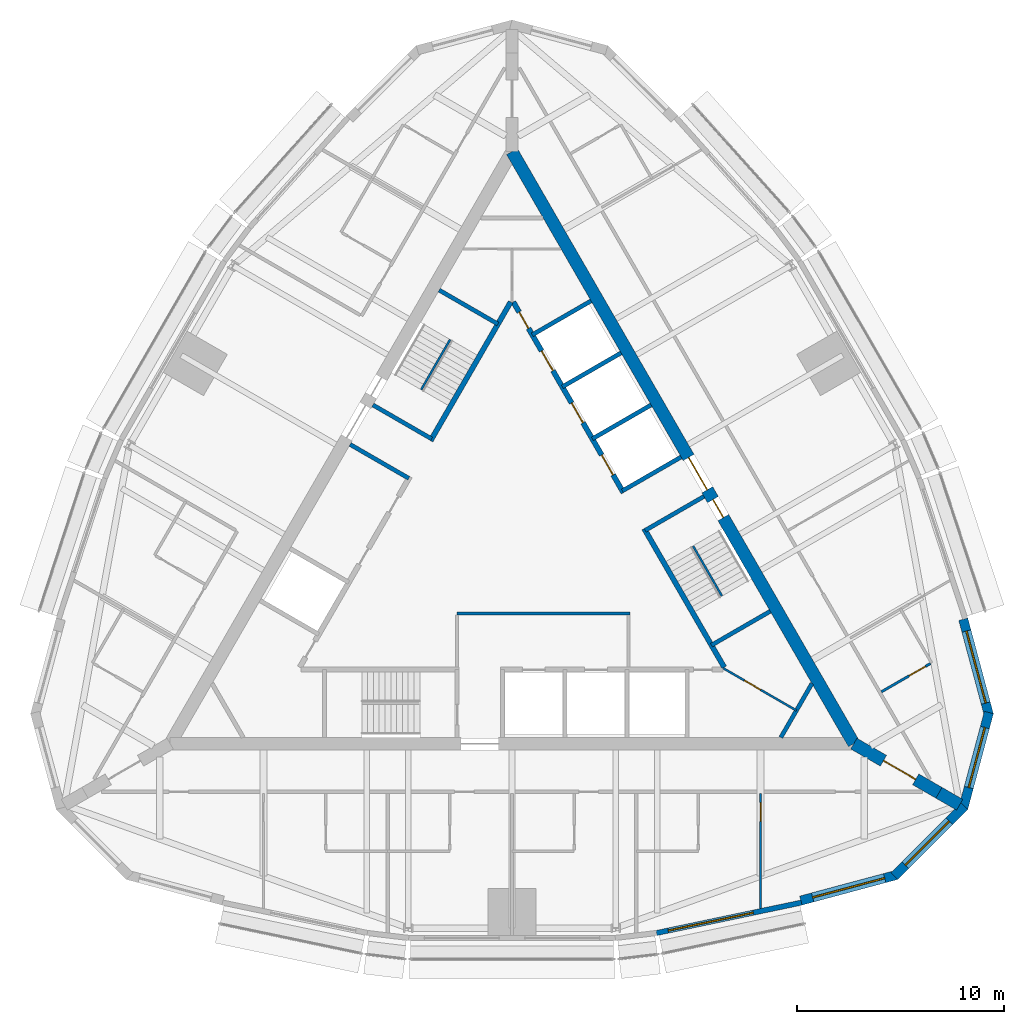
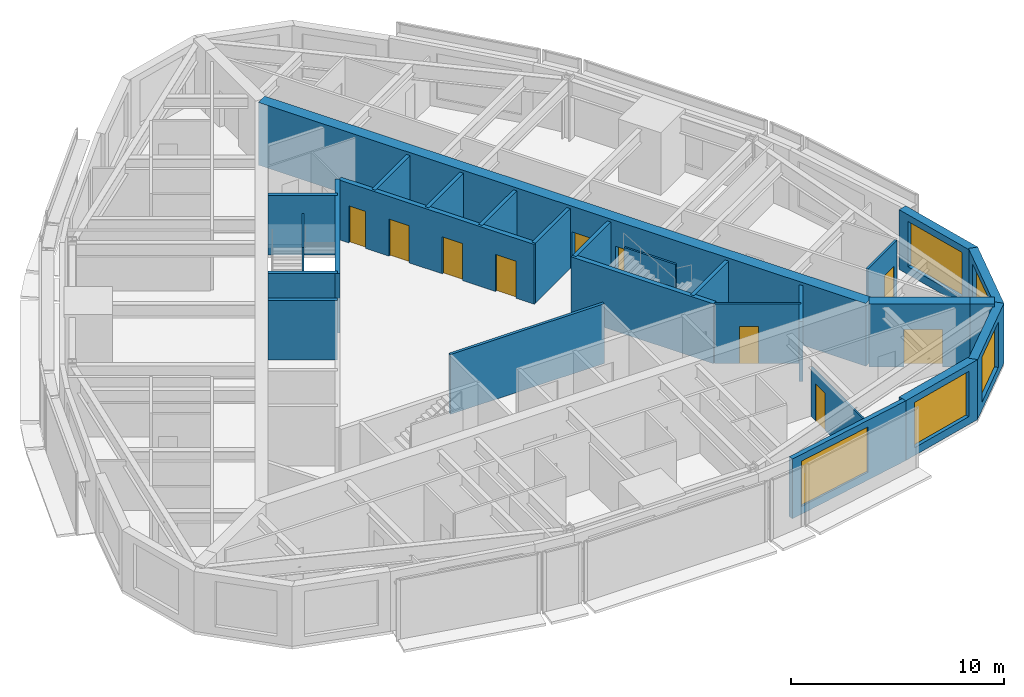
# One storey, part 9 of 12: 27 walls, 10 doors, 5 windows, 15 openings.
"""IFC4 building model written with IfcOpenShell, lengths in metres."""

from ifc_helpers import new_model, si_unit, direction, frame, frame_2d, origin, place, context, subcontext, project, spatial, polyline, rectangle, outline, extrude, material, layer, layer_set, type_object, element, fill, save


model = new_model("IFC4")

# Units and contexts
model_context = context("Model", 3, precision=1e-05, world=origin(), true_north=direction((0.0, 1.0)))
body_context = subcontext(model_context, "Body", "Model", "MODEL_VIEW")
ifc_project = project(units=[si_unit("LENGTHUNIT", "METRE"), si_unit("AREAUNIT", "SQUARE_METRE"), si_unit("VOLUMEUNIT", "CUBIC_METRE"), si_unit("PLANEANGLEUNIT", "RADIAN"), si_unit("MASSUNIT", "GRAM", prefix="KILO")], contexts=[model_context])

# Site, building, storey
site_placement = place(None, origin())
site = spatial("IfcSite", under=ifc_project, at=site_placement, CompositionType="ELEMENT")
building_placement = place(site_placement, origin())
building = spatial("IfcBuilding", under=site, at=building_placement, Name="Trikona Tower", CompositionType="ELEMENT")
storey_placement = place(building_placement, frame((0.0, 0.0, 260.89990234375)))
storey = spatial("IfcBuildingStorey", under=building, at=storey_placement, Name="L69", CompositionType="ELEMENT", Elevation=260.89990234375)

# Wall, opening, door
ifc_material_1 = material(Name="Metal stud and cement board", Category="gypsum")
ifc_layer_1 = layer(ifc_material_1, 0.1201171875)
ifc_layer_set_1 = layer_set([ifc_layer_1], Name="Bathroom wall 120")
wall_type_1 = type_object("IfcWallType", Name="Bathroom wall 120", PredefinedType="PLUMBINGWALL", material=ifc_layer_set_1)
wall_1_placement = place(storey_placement, frame((17.82861328125, -7.027099609375, 0.0), z_axis=(0.0, 0.0, 1.0), x_axis=(0.866035715982, 0.499982138324, 0.0)))
wall_1 = element("IfcWall", 1, at=wall_1_placement, inside=storey, type_object=wall_type_1, Name="Bathroom wall 6905.1", PredefinedType="PLUMBINGWALL", context=body_context, shape_type="SweptSolid", body=[
    extrude(rectangle(XDim=2.73974609375, YDim=0.1201171875, at=frame_2d((1.369873046875, 0.0))), origin(), (0.0, 0.0, 1.0), 3.43505859375),
])
opening_1_placement = place(wall_1_placement, frame((1.550048828125, 0.0, 0.0)))
opening_1 = element("IfcOpeningElement", 2, at=opening_1_placement, cuts=wall_1, Name="Opening D2", PredefinedType="OPENING", context=body_context, shape_type="SweptSolid", body=[
    extrude(rectangle(XDim=0.89990234375, YDim=2.1298828125, at=frame_2d((0.449951171875, 1.06494140625))), frame((0.0, 0.070068359375, 0.0), z_axis=(0.0, -1.0, 0.0), x_axis=(1.0, 0.0, 0.0)), (0.0, 0.0, 1.0), 0.14013671875),
])
ifc_material_2 = material(Name="Steel door frame with solid-core timber leaf", Category="steel")
door_type_1 = type_object("IfcDoorType", Name="Bathroom door 900x2130", OperationType="SLIDING_TO_LEFT", PredefinedType="DOOR", material=ifc_material_2)
door_1_placement = place(opening_1_placement, origin())
door_1 = element("IfcDoor", 3, at=door_1_placement, inside=storey, type_object=door_type_1, Name="Bathroom door 6905.1", OperationType="SLIDING_TO_LEFT", OverallHeight=2.1298828125, OverallWidth=0.89990234375, PredefinedType="DOOR", context=body_context, shape_type="SweptSolid", body=[
    extrude(rectangle(XDim=0.89990234375, YDim=2.1298828125, at=frame_2d((0.449951171875, 1.06494140625))), frame((0.0, 0.02490234375, 0.0), z_axis=(0.0, -1.0, 0.0), x_axis=(1.0, 0.0, 0.0)), (0.0, 0.0, 1.0), 0.050048828125),
])
fill(opening_1, door_1)

# Wall, opening, window
ifc_material_3 = material(Name="Brick-faced precast concrete", Category="masonry")
ifc_layer_2 = layer(ifc_material_3, 0.449951171875)
ifc_layer_set_2 = layer_set([ifc_layer_2], Name="Brick-faced corner wall 450")
wall_type_2 = type_object("IfcWallType", Name="Brick-faced corner wall 450", PredefinedType="SOLIDWALL", material=ifc_layer_set_2)
wall_2_placement = place(storey_placement, frame((13.94189453125, -17.103271484375, 0.0), z_axis=(0.0, 0.0, 1.0), x_axis=(0.965913862671, 0.258863689806, 0.0)))
wall_2 = element("IfcWall", 4, at=wall_2_placement, inside=storey, type_object=wall_type_2, Name="External wall L69-05", PredefinedType="SOLIDWALL", context=body_context, shape_type="SweptSolid", body=[
    extrude(rectangle(XDim=4.78173828125, YDim=0.449951171875, at=frame_2d((2.390869140625, 0.0))), origin(), (0.0, 0.0, 1.0), 3.43505859375),
])
opening_2_placement = place(wall_2_placement, frame((0.5908203125, 0.0, 0.449951171875)))
opening_2 = element("IfcOpeningElement", 5, at=opening_2_placement, cuts=wall_2, Name="Opening W3626", PredefinedType="OPENING", context=body_context, shape_type="SweptSolid", body=[
    extrude(rectangle(XDim=3.60009765625, YDim=2.60009765625, at=frame_2d((1.800048828125, 1.300048828125))), frame((0.0, 0.23486328125, 0.0), z_axis=(0.0, -1.0, 0.0), x_axis=(1.0, 0.0, 0.0)), (0.0, 0.0, 1.0), 0.469970703125),
])
ifc_material_4 = material(Name="Aluminium-framed double glazing", Category="aluminium")
window_type_1 = type_object("IfcWindowType", Name="Window 3600x2600", PartitioningType="SINGLE_PANEL", PredefinedType="WINDOW", material=ifc_material_4)
window_1_placement = place(opening_2_placement, origin())
window_1 = element("IfcWindow", 6, at=window_1_placement, inside=storey, type_object=window_type_1, Name="Window 6904", OverallHeight=2.60009765625, OverallWidth=3.60009765625, PartitioningType="SINGLE_PANEL", PredefinedType="WINDOW", context=body_context, shape_type="SweptSolid", body=[
    extrude(rectangle(XDim=3.60009765625, YDim=2.60009765625, at=frame_2d((1.800048828125, 1.300048828125))), frame((0.0, 0.030029296875, 0.0), z_axis=(0.0, -1.0, 0.0), x_axis=(1.0, 0.0, 0.0)), (0.0, 0.0, 1.0), 0.06005859375),
])
fill(opening_2, window_1)

wall_3_placement = place(storey_placement, frame((18.459716796875, -15.923828125, 0.0), z_axis=(0.0, 0.0, 1.0), x_axis=(0.707081252484, 0.707132308968, 0.0)))
wall_3 = element("IfcWall", 7, at=wall_3_placement, inside=storey, type_object=wall_type_2, Name="External wall L69-06", PredefinedType="SOLIDWALL", context=body_context, shape_type="SweptSolid", body=[
    extrude(outline(polyline([(4.78173828125, 0.22509765625), (4.722900390625, 0.22509765625), (4.37548828125, 0.1318359375), (4.3505859375, 0.22509765625), (0.0, 0.22509765625), (0.0, -0.22509765625), (4.78173828125, -0.22509765625), (4.78173828125, 0.22509765625)])), origin(), (0.0, 0.0, 1.0), 3.43505859375),
])
opening_3_placement = place(wall_3_placement, frame((0.750244140625, 0.0, 0.449951171875)))
opening_3 = element("IfcOpeningElement", 8, at=opening_3_placement, cuts=wall_3, Name="Opening W3026", PredefinedType="OPENING", context=body_context, shape_type="SweptSolid", body=[
    extrude(rectangle(XDim=3.0, YDim=2.60009765625, at=frame_2d((1.5, 1.300048828125))), frame((0.0, 0.23486328125, 0.0), z_axis=(0.0, -1.0, 0.0), x_axis=(1.0, 0.0, 0.0)), (0.0, 0.0, 1.0), 0.469970703125),
])
ifc_material_5 = material(Name="Aluminium-framed double glazing", Category="aluminium")
window_type_2 = type_object("IfcWindowType", Name="Window 3000x2600", PartitioningType="SINGLE_PANEL", PredefinedType="WINDOW", material=ifc_material_5)
window_2_placement = place(opening_3_placement, origin())
window_2 = element("IfcWindow", 9, at=window_2_placement, inside=storey, type_object=window_type_2, Name="Window 6904", OverallHeight=2.60009765625, OverallWidth=3.0, PartitioningType="SINGLE_PANEL", PredefinedType="WINDOW", context=body_context, shape_type="SweptSolid", body=[
    extrude(rectangle(XDim=3.0, YDim=2.60009765625, at=frame_2d((1.5, 1.300048828125))), frame((0.0, 0.030029296875, 0.0), z_axis=(0.0, -1.0, 0.0), x_axis=(1.0, 0.0, 0.0)), (0.0, 0.0, 1.0), 0.06005859375),
])
fill(opening_3, window_2)

wall_4_placement = place(storey_placement, frame((21.78271484375, -12.6435546875, 0.0), z_axis=(0.0, 0.0, 1.0), x_axis=(0.25880328844, 0.965930048136, 0.0)))
wall_4 = element("IfcWall", 10, at=wall_4_placement, inside=storey, type_object=wall_type_2, Name="External wall L69-07", PredefinedType="SOLIDWALL", context=body_context, shape_type="SweptSolid", body=[
    extrude(outline(polyline([(4.78173828125, 0.22509765625), (0.43115234375, 0.22509765625), (0.40625, 0.132080078125), (0.0595703125, 0.22509765625), (0.0, 0.22509765625), (0.0, -0.22509765625), (4.78173828125, -0.22509765625), (4.78173828125, 0.22509765625)])), origin(), (0.0, 0.0, 1.0), 3.43505859375),
])
opening_4_placement = place(wall_4_placement, frame((1.031494140625, 0.0, 0.449951171875)))
opening_4 = element("IfcOpeningElement", 11, at=opening_4_placement, cuts=wall_4, Name="Opening W3026", PredefinedType="OPENING", context=body_context, shape_type="SweptSolid", body=[
    extrude(rectangle(XDim=3.0, YDim=2.60009765625, at=frame_2d((1.5, 1.300048828125))), frame((0.0, 0.23486328125, 0.0), z_axis=(0.0, -1.0, 0.0), x_axis=(1.0, 0.0, 0.0)), (0.0, 0.0, 1.0), 0.469970703125),
])
window_3_placement = place(opening_4_placement, origin())
window_3 = element("IfcWindow", 12, at=window_3_placement, inside=storey, type_object=window_type_2, Name="Window 6905.1", OverallHeight=2.60009765625, OverallWidth=3.0, PartitioningType="SINGLE_PANEL", PredefinedType="WINDOW", context=body_context, shape_type="SweptSolid", body=[
    extrude(rectangle(XDim=3.0, YDim=2.60009765625, at=frame_2d((1.5, 1.300048828125))), frame((0.0, 0.030029296875, 0.0), z_axis=(0.0, -1.0, 0.0), x_axis=(1.0, 0.0, 0.0)), (0.0, 0.0, 1.0), 0.06005859375),
])
fill(opening_4, window_3)

wall_5_placement = place(storey_placement, frame((23.020263671875, -8.14111328125, 0.0), z_axis=(0.0, 0.0, 1.0), x_axis=(-0.25880328844, 0.965930048136, 0.0)))
wall_5 = element("IfcWall", 13, at=wall_5_placement, inside=storey, type_object=wall_type_2, Name="External wall L69-08", PredefinedType="SOLIDWALL", context=body_context, shape_type="SweptSolid", body=[
    extrude(rectangle(XDim=4.78173828125, YDim=0.449951171875, at=frame_2d((2.390869140625, 0.0))), origin(), (0.0, 0.0, 1.0), 3.43505859375),
])
opening_5_placement = place(wall_5_placement, frame((0.5908203125, 0.0, 0.449951171875)))
opening_5 = element("IfcOpeningElement", 14, at=opening_5_placement, cuts=wall_5, Name="Opening W3626", PredefinedType="OPENING", context=body_context, shape_type="SweptSolid", body=[
    extrude(rectangle(XDim=3.60009765625, YDim=2.60009765625, at=frame_2d((1.800048828125, 1.300048828125))), frame((0.0, 0.23486328125, 0.0), z_axis=(0.0, -1.0, 0.0), x_axis=(1.0, 0.0, 0.0)), (0.0, 0.0, 1.0), 0.469970703125),
])
window_4_placement = place(opening_5_placement, origin())
window_4 = element("IfcWindow", 15, at=window_4_placement, inside=storey, type_object=window_type_1, Name="Window 6905.1", OverallHeight=2.60009765625, OverallWidth=3.60009765625, PartitioningType="SINGLE_PANEL", PredefinedType="WINDOW", context=body_context, shape_type="SweptSolid", body=[
    extrude(rectangle(XDim=3.60009765625, YDim=2.60009765625, at=frame_2d((1.800048828125, 1.300048828125))), frame((0.0, 0.030029296875, 0.0), z_axis=(0.0, -1.0, 0.0), x_axis=(1.0, 0.0, 0.0)), (0.0, 0.0, 1.0), 0.06005859375),
])
fill(opening_5, window_4)

# Wall, opening, door
ifc_material_6 = material(Name="Concrete f'c 10000 psi", Category="concrete")
ifc_layer_3 = layer(ifc_material_6, 0.60009765625)
ifc_layer_set_3 = layer_set([ifc_layer_3], Name="Buttress wall 600")
wall_type_3 = type_object("IfcWallType", Name="Buttress wall 600", PredefinedType="SHEAR", material=ifc_layer_set_3)
wall_6_placement = place(storey_placement, frame((16.5, -9.5263671875, 0.0), z_axis=(0.0, 0.0, 1.0), x_axis=(0.866031398331, -0.499989616998, 0.0)))
wall_6 = element("IfcWall", 16, at=wall_6_placement, inside=storey, type_object=wall_type_3, Name="Buttress wall 1", PredefinedType="SHEAR", context=body_context, shape_type="SweptSolid", body=[
    extrude(rectangle(XDim=4.74609375, YDim=0.60009765625, at=frame_2d((2.373046875, 0.0))), origin(), (0.0, 0.0, 1.0), 3.60009765625),
])
opening_6_placement = place(wall_6_placement, frame((1.64990234375, 0.0, 0.0)))
opening_6 = element("IfcOpeningElement", 17, at=opening_6_placement, cuts=wall_6, Name="Opening D10", PredefinedType="OPENING", context=body_context, shape_type="SweptSolid", body=[
    extrude(rectangle(XDim=1.800048828125, YDim=2.1298828125, at=frame_2d((0.89990234375, 1.06494140625))), frame((0.0, 0.31005859375, 0.0), z_axis=(0.0, -1.0, 0.0), x_axis=(1.0, 0.0, 0.0)), (0.0, 0.0, 1.0), 0.6201171875),
])
ifc_material_7 = material(Name="Hollow metal door and frame", Category="steel")
door_type_2 = type_object("IfcDoorType", Name="Cross-corridor door pair 1800x2130", OperationType="DOUBLE_DOOR_DOUBLE_SWING", PredefinedType="DOOR", material=ifc_material_7)
door_2_placement = place(opening_6_placement, origin())
door_2 = element("IfcDoor", 18, at=door_2_placement, inside=storey, type_object=door_type_2, Name="Cross-corridor door 1", OperationType="DOUBLE_DOOR_DOUBLE_SWING", OverallHeight=2.1298828125, OverallWidth=1.800048828125, PredefinedType="DOOR", context=body_context, shape_type="SweptSolid", body=[
    extrude(rectangle(XDim=1.800048828125, YDim=2.1298828125, at=frame_2d((0.89990234375, 1.06494140625))), frame((0.0, 0.02490234375, 0.0), z_axis=(0.0, -1.0, 0.0), x_axis=(1.0, 0.0, 0.0)), (0.0, 0.0, 1.0), 0.050048828125),
])
fill(opening_6, door_2)

# Wall
wall_7_placement = place(storey_placement, frame((20.6103515625, -11.8994140625, 0.0), z_axis=(0.0, 0.0, 1.0), x_axis=(0.866009537788, -0.500027479704, 0.0)))
element("IfcWall", 19, at=wall_7_placement, inside=storey, type_object=wall_type_3, Name="Buttress wall 1 part 2", PredefinedType="SHEAR", context=body_context, shape_type="SweptSolid", body=[
    extrude(rectangle(XDim=1.15478515625, YDim=0.60009765625, at=frame_2d((0.577392578125, 0.0))), origin(), (0.0, 0.0, 1.0), 3.60009765625),
])

# Wall, openings, doors
ifc_material_8 = material(Name="Concrete f'c 10000 psi", Category="concrete")
ifc_layer_4 = layer(ifc_material_8, 0.60009765625)
ifc_layer_set_4 = layer_set([ifc_layer_4], Name="Core wall 600")
wall_type_4 = type_object("IfcWallType", Name="Core wall 600", PredefinedType="SHEAR", material=ifc_layer_set_4)
wall_8_placement = place(storey_placement, frame((16.5, -9.5263671875, 0.0), z_axis=(0.0, 0.0, 1.0), x_axis=(-0.499999749417, 0.866025548458, 0.0)))
wall_8 = element("IfcWall", 20, at=wall_8_placement, inside=storey, type_object=wall_type_4, Name="Core wall B", PredefinedType="SHEAR", context=body_context, shape_type="SweptSolid", body=[
    extrude(rectangle(XDim=33.0, YDim=0.60009765625, at=frame_2d((16.5, 0.0))), origin(), (0.0, 0.0, 1.0), 3.60009765625),
])
opening_7_placement = place(wall_8_placement, frame((14.14990234375, 0.0, 0.0)))
opening_7 = element("IfcOpeningElement", 21, at=opening_7_placement, cuts=wall_8, Name="Opening D6", PredefinedType="OPENING", context=body_context, shape_type="SweptSolid", body=[
    extrude(rectangle(XDim=1.800048828125, YDim=2.1298828125, at=frame_2d((0.89990234375, 1.06494140625))), frame((0.0, 0.31005859375, 0.0), z_axis=(0.0, -1.0, 0.0), x_axis=(1.0, 0.0, 0.0)), (0.0, 0.0, 1.0), 0.6201171875),
])
opening_8_placement = place(wall_8_placement, frame((12.60009765625, 0.0, 0.0)))
opening_8 = element("IfcOpeningElement", 22, at=opening_8_placement, cuts=wall_8, Name="Opening D5", PredefinedType="OPENING", context=body_context, shape_type="SweptSolid", body=[
    extrude(rectangle(XDim=1.0, YDim=2.1298828125, at=frame_2d((0.5, 1.06494140625))), frame((0.0, 0.31005859375, 0.0), z_axis=(0.0, -1.0, 0.0), x_axis=(1.0, 0.0, 0.0)), (0.0, 0.0, 1.0), 0.6201171875),
])
ifc_material_9 = material(Name="Hollow metal door and frame", Category="steel")
door_type_3 = type_object("IfcDoorType", Name="Lobby door pair 1800x2130", OperationType="DOUBLE_DOOR_SINGLE_SWING", PredefinedType="DOOR", material=ifc_material_9)
door_3_placement = place(opening_7_placement, origin())
door_3 = element("IfcDoor", 23, at=door_3_placement, inside=storey, type_object=door_type_3, Name="Lift lobby door B", OperationType="DOUBLE_DOOR_SINGLE_SWING", OverallHeight=2.1298828125, OverallWidth=1.800048828125, PredefinedType="DOOR", context=body_context, shape_type="SweptSolid", body=[
    extrude(rectangle(XDim=1.800048828125, YDim=2.1298828125, at=frame_2d((0.89990234375, 1.06494140625))), frame((0.0, 0.02490234375, 0.0), z_axis=(0.0, -1.0, 0.0), x_axis=(1.0, 0.0, 0.0)), (0.0, 0.0, 1.0), 0.050048828125),
])
fill(opening_7, door_3)
ifc_material_10 = material(Name="Hollow metal door and frame", Category="steel")
door_type_4 = type_object("IfcDoorType", Name="Stair door 1000x2130", OperationType="SINGLE_SWING_LEFT", PredefinedType="DOOR", material=ifc_material_10)
door_4_placement = place(opening_8_placement, origin())
door_4 = element("IfcDoor", 24, at=door_4_placement, inside=storey, type_object=door_type_4, Name="Stair B door", OperationType="SINGLE_SWING_RIGHT", OverallHeight=2.1298828125, OverallWidth=1.0, PredefinedType="DOOR", context=body_context, shape_type="SweptSolid", body=[
    extrude(rectangle(XDim=1.0, YDim=2.1298828125, at=frame_2d((0.5, 1.06494140625))), frame((0.0, 0.02490234375, 0.0), z_axis=(0.0, -1.0, 0.0), x_axis=(1.0, 0.0, 0.0)), (0.0, 0.0, 1.0), 0.050048828125),
])
fill(opening_8, door_4)

# Wall
ifc_material_11 = material(Name="Concrete f'c 8000 psi", Category="concrete")
ifc_layer_5 = layer(ifc_material_11, 0.25)
ifc_layer_set_5 = layer_set([ifc_layer_5], Name="Hub wall 250")
wall_type_5 = type_object("IfcWallType", Name="Hub wall 250", PredefinedType="SOLIDWALL", material=ifc_layer_set_5)
wall_9_placement = place(storey_placement, frame((10.245361328125, -5.843017578125, 0.0), z_axis=(0.0, 0.0, 1.0), x_axis=(-0.499993009313, 0.866029439822, 0.0)))
element("IfcWall", 25, at=wall_9_placement, inside=storey, type_object=wall_type_5, Name="Lift lobby wall B1", PredefinedType="SOLIDWALL", context=body_context, shape_type="SweptSolid", body=[
    extrude(rectangle(XDim=7.73291015625, YDim=0.25, at=frame_2d((3.866455078125, 0.0))), origin(), (0.0, 0.0, 1.0), 3.43505859375),
])

# Wall, openings, doors
wall_10_placement = place(storey_placement, frame((5.37890625, 2.5859375, 0.0), z_axis=(0.0, 0.0, 1.0), x_axis=(-0.500001375892, 0.866024609411, 0.0)))
wall_10 = element("IfcWall", 26, at=wall_10_placement, inside=storey, type_object=wall_type_5, Name="Lift lobby wall B2", PredefinedType="SOLIDWALL", context=body_context, shape_type="SweptSolid", body=[
    extrude(rectangle(XDim=10.6328125, YDim=0.25, at=frame_2d((5.31640625, 0.0))), origin(), (0.0, 0.0, 1.0), 3.43505859375),
])
opening_9_placement = place(wall_10_placement, frame((9.1640625, 0.0, 0.0)))
opening_9 = element("IfcOpeningElement", 27, at=opening_9_placement, cuts=wall_10, Name="Opening D14", PredefinedType="OPENING", context=body_context, shape_type="SweptSolid", body=[
    extrude(rectangle(XDim=0.89990234375, YDim=2.1298828125, at=frame_2d((0.449951171875, 1.06494140625))), frame((0.0, 0.135009765625, 0.0), z_axis=(0.0, -1.0, 0.0), x_axis=(1.0, 0.0, 0.0)), (0.0, 0.0, 1.0), 0.27001953125),
])
opening_10_placement = place(wall_10_placement, frame((1.0, 0.0, 0.0)))
opening_10 = element("IfcOpeningElement", 28, at=opening_10_placement, cuts=wall_10, Name="Opening LD", PredefinedType="OPENING", context=body_context, shape_type="SweptSolid", body=[
    extrude(rectangle(XDim=1.10009765625, YDim=2.1298828125, at=frame_2d((0.550048828125, 1.06494140625))), frame((0.0, 0.135009765625, 0.0), z_axis=(0.0, -1.0, 0.0), x_axis=(1.0, 0.0, 0.0)), (0.0, 0.0, 1.0), 0.27001953125),
])
opening_11_placement = place(wall_10_placement, frame((3.89990234375, 0.0, 0.0)))
opening_11 = element("IfcOpeningElement", 29, at=opening_11_placement, cuts=wall_10, Name="Opening LD", PredefinedType="OPENING", context=body_context, shape_type="SweptSolid", body=[
    extrude(rectangle(XDim=1.10009765625, YDim=2.1298828125, at=frame_2d((0.550048828125, 1.06494140625))), frame((0.0, 0.135009765625, 0.0), z_axis=(0.0, -1.0, 0.0), x_axis=(1.0, 0.0, 0.0)), (0.0, 0.0, 1.0), 0.27001953125),
])
opening_12_placement = place(wall_10_placement, frame((6.800048828125, 0.0, 0.0)))
opening_12 = element("IfcOpeningElement", 30, at=opening_12_placement, cuts=wall_10, Name="Opening LD", PredefinedType="OPENING", context=body_context, shape_type="SweptSolid", body=[
    extrude(rectangle(XDim=1.10009765625, YDim=2.1298828125, at=frame_2d((0.550048828125, 1.06494140625))), frame((0.0, 0.135009765625, 0.0), z_axis=(0.0, -1.0, 0.0), x_axis=(1.0, 0.0, 0.0)), (0.0, 0.0, 1.0), 0.27001953125),
])
ifc_material_12 = material(Name="Stainless steel lift landing door", Category="steel")
door_type_5 = type_object("IfcDoorType", Name="Lift landing door 1100x2130", OperationType="DOUBLE_DOOR_SLIDING", PredefinedType="USERDEFINED", material=ifc_material_12)
door_5_placement = place(opening_10_placement, origin())
door_5 = element("IfcDoor", 31, at=door_5_placement, inside=storey, type_object=door_type_5, Name="Lift landing door L3-1", ObjectType="LIFT LANDING DOOR", OperationType="DOUBLE_DOOR_SLIDING", OverallHeight=2.1298828125, OverallWidth=1.10009765625, PredefinedType="USERDEFINED", context=body_context, shape_type="SweptSolid", body=[
    extrude(rectangle(XDim=1.10009765625, YDim=2.1298828125, at=frame_2d((0.550048828125, 1.06494140625))), frame((0.0, 0.02490234375, 0.0), z_axis=(0.0, -1.0, 0.0), x_axis=(1.0, 0.0, 0.0)), (0.0, 0.0, 1.0), 0.050048828125),
])
fill(opening_10, door_5)
door_6_placement = place(opening_11_placement, origin())
door_6 = element("IfcDoor", 32, at=door_6_placement, inside=storey, type_object=door_type_5, Name="Lift landing door L3-2", ObjectType="LIFT LANDING DOOR", OperationType="DOUBLE_DOOR_SLIDING", OverallHeight=2.1298828125, OverallWidth=1.10009765625, PredefinedType="USERDEFINED", context=body_context, shape_type="SweptSolid", body=[
    extrude(rectangle(XDim=1.10009765625, YDim=2.1298828125, at=frame_2d((0.550048828125, 1.06494140625))), frame((0.0, 0.02490234375, 0.0), z_axis=(0.0, -1.0, 0.0), x_axis=(1.0, 0.0, 0.0)), (0.0, 0.0, 1.0), 0.050048828125),
])
fill(opening_11, door_6)
door_7_placement = place(opening_12_placement, origin())
door_7 = element("IfcDoor", 33, at=door_7_placement, inside=storey, type_object=door_type_5, Name="Lift landing door L3-3", ObjectType="LIFT LANDING DOOR", OperationType="DOUBLE_DOOR_SLIDING", OverallHeight=2.1298828125, OverallWidth=1.10009765625, PredefinedType="USERDEFINED", context=body_context, shape_type="SweptSolid", body=[
    extrude(rectangle(XDim=1.10009765625, YDim=2.1298828125, at=frame_2d((0.550048828125, 1.06494140625))), frame((0.0, 0.02490234375, 0.0), z_axis=(0.0, -1.0, 0.0), x_axis=(1.0, 0.0, 0.0)), (0.0, 0.0, 1.0), 0.050048828125),
])
fill(opening_12, door_7)
ifc_material_13 = material(Name="Hollow metal door and frame", Category="steel")
door_type_6 = type_object("IfcDoorType", Name="Service room door 900x2130", OperationType="SINGLE_SWING_LEFT", PredefinedType="DOOR", material=ifc_material_13)
door_8_placement = place(opening_9_placement, origin())
door_8 = element("IfcDoor", 34, at=door_8_placement, inside=storey, type_object=door_type_6, Name="Door Ice and vending ICE", OperationType="SINGLE_SWING_RIGHT", OverallHeight=2.1298828125, OverallWidth=0.89990234375, PredefinedType="DOOR", context=body_context, shape_type="SweptSolid", body=[
    extrude(rectangle(XDim=0.89990234375, YDim=2.1298828125, at=frame_2d((0.449951171875, 1.06494140625))), frame((0.0, 0.02490234375, 0.0), z_axis=(0.0, -1.0, 0.0), x_axis=(1.0, 0.0, 0.0)), (0.0, 0.0, 1.0), 0.050048828125),
])
fill(opening_9, door_8)

# Wall
wall_11_placement = place(storey_placement, frame((-0.0625, 11.794189453125, 0.0), z_axis=(0.0, 0.0, 1.0), x_axis=(-0.500006680225, -0.86602154692, 0.0)))
element("IfcWall", 35, at=wall_11_placement, inside=storey, type_object=wall_type_5, Name="Lift lobby wall C1", PredefinedType="SOLIDWALL", context=body_context, shape_type="SweptSolid", body=[
    extrude(rectangle(XDim=7.73291015625, YDim=0.25, at=frame_2d((3.866455078125, 0.0))), origin(), (0.0, 0.0, 1.0), 3.43505859375),
])

# Wall, opening, window
ifc_material_14 = material(Name="Insulated precast concrete spandrel panel", Category="concrete")
ifc_layer_6 = layer(ifc_material_14, 0.25)
ifc_layer_set_6 = layer_set([ifc_layer_6], Name="Inner skin wall 250")
wall_type_6 = type_object("IfcWallType", Name="Inner skin wall 250", PredefinedType="STANDARD", material=ifc_layer_set_6)
wall_12_placement = place(storey_placement, frame((6.974365234375, -18.668212890625, 0.0), z_axis=(0.0, 0.0, 1.0), x_axis=(0.978654320409, 0.205513311355, 0.0)))
wall_12 = element("IfcWall", 36, at=wall_12_placement, inside=storey, type_object=wall_type_6, Name="External wall L69-04", PredefinedType="STANDARD", context=body_context, shape_type="SweptSolid", body=[
    extrude(rectangle(XDim=7.152587890625, YDim=0.25, at=frame_2d((3.576171875, 0.0))), origin(), (0.0, 0.0, 1.0), 3.43505859375),
])
opening_13_placement = place(wall_12_placement, frame((0.576904296875, 0.0, 0.449951171875)))
opening_13 = element("IfcOpeningElement", 37, at=opening_13_placement, cuts=wall_12, Name="Opening W4226", PredefinedType="OPENING", context=body_context, shape_type="SweptSolid", body=[
    extrude(rectangle(XDim=4.199951171875, YDim=2.60009765625, at=frame_2d((2.10009765625, 1.300048828125))), frame((0.0, 0.135009765625, 0.0), z_axis=(0.0, -1.0, 0.0), x_axis=(1.0, 0.0, 0.0)), (0.0, 0.0, 1.0), 0.27001953125),
])
ifc_material_15 = material(Name="Aluminium-framed double glazing", Category="aluminium")
window_type_3 = type_object("IfcWindowType", Name="Window 4200x2600", PartitioningType="SINGLE_PANEL", PredefinedType="WINDOW", material=ifc_material_15)
window_5_placement = place(opening_13_placement, origin())
window_5 = element("IfcWindow", 38, at=window_5_placement, inside=storey, type_object=window_type_3, Name="Window 6904.1", OverallHeight=2.60009765625, OverallWidth=4.199951171875, PartitioningType="SINGLE_PANEL", PredefinedType="WINDOW", context=body_context, shape_type="SweptSolid", body=[
    extrude(rectangle(XDim=4.199951171875, YDim=2.60009765625, at=frame_2d((2.10009765625, 1.300048828125))), frame((0.0, 0.030029296875, 0.0), z_axis=(0.0, -1.0, 0.0), x_axis=(1.0, 0.0, 0.0)), (0.0, 0.0, 1.0), 0.06005859375),
])
fill(opening_13, window_5)

# Walls
ifc_material_16 = material(Name="Metal stud and gypsum board, 2-hour shaft wall", Category="gypsum")
ifc_layer_7 = layer(ifc_material_16, 0.14990234375)
ifc_layer_set_7 = layer_set([ifc_layer_7], Name="Lobby wall 150")
wall_type_7 = type_object("IfcWallType", Name="Lobby wall 150", PredefinedType="PARTITIONING", material=ifc_layer_set_7)
wall_13_placement = place(storey_placement, frame((-2.64990234375, -3.251220703125, 0.0), z_axis=(0.0, 0.0, 1.0), x_axis=(1.0, 0.0, 0.0)))
element("IfcWall", 39, at=wall_13_placement, inside=storey, type_object=wall_type_7, Name="Fire service lift lobby wall 1", PredefinedType="PARTITIONING", context=body_context, shape_type="SweptSolid", body=[
    extrude(rectangle(XDim=8.349853515625, YDim=0.14990234375, at=frame_2d((4.1748046875, 0.0))), origin(), (0.0, 0.0, 1.0), 3.43505859375),
])
ifc_material_17 = material(Name="Concrete f'c 8000 psi", Category="concrete")
ifc_layer_8 = layer(ifc_material_17, 0.199951171875)
ifc_layer_set_8 = layer_set([ifc_layer_8], Name="Shaft wall 200")
wall_type_8 = type_object("IfcWallType", Name="Shaft wall 200", PredefinedType="SOLIDWALL", material=ifc_layer_set_8)
for number, where, z_axis, x_axis, name in (
    (40, (5.3291015625, 2.672607421875, 0.0), (0.0, 0.0, 1.0), (0.866027924134, 0.499995634601, 0.0), "Shaft wall B3"),
    (41, (3.87890625, 5.18408203125, 0.0), (0.0, 0.0, 1.0), (0.866027924134, 0.499995634601, 0.0), "Shaft wall B4"),
    (42, (2.428955078125, 7.695556640625, 0.0), (0.0, 0.0, 1.0), (0.866027924134, 0.499995634601, 0.0), "Shaft wall B5"),
    (43, (0.97900390625, 10.20703125, 0.0), (0.0, 0.0, 1.0), (0.866027924134, 0.499995634601, 0.0), "Shaft wall B6"),
    (44, (-4.97900390625, 3.27880859375, 0.0), (0.0, 0.0, 1.0), (-0.866027924134, 0.499995634601, 0.0), "Shaft wall C3"),
):
    element("IfcWall", number, at=place(storey_placement, frame(where, z_axis=z_axis, x_axis=x_axis)), inside=storey, type_object=wall_type_8, Name=name, PredefinedType="SOLIDWALL", context=body_context, shape_type="SweptSolid", body=[
        extrude(rectangle(XDim=3.27490234375, YDim=0.199951171875, at=frame_2d((1.637451171875, 0.0))), origin(), (0.0, 0.0, 1.0), 3.43505859375),
    ])
wall_14_placement = place(storey_placement, frame((14.479248046875, -6.626220703125, 0.0), z_axis=(0.0, 0.0, 1.0), x_axis=(-0.499952404951, -0.866052881055, 0.0)))
element("IfcWall", 45, at=wall_14_placement, inside=storey, type_object=wall_type_8, Name="Riser wall L69-RS1", PredefinedType="SOLIDWALL", context=body_context, shape_type="SweptSolid", body=[
    extrude(rectangle(XDim=3.002197265625, YDim=0.199951171875, at=frame_2d((1.5009765625, 0.0))), origin(), (0.0, 0.0, 1.0), 3.43505859375),
])
ifc_material_18 = material(Name="Concrete f'c 8000 psi", Category="concrete")
ifc_layer_9 = layer(ifc_material_18, 0.199951171875)
ifc_layer_set_9 = layer_set([ifc_layer_9], Name="Shaft wall 200 load-bearing")
wall_type_9 = type_object("IfcWallType", Name="Shaft wall 200 load-bearing", PredefinedType="SOLIDWALL", material=ifc_layer_set_9)
wall_15_placement = place(storey_placement, frame((9.62890625, -4.775390625, 0.0), z_axis=(0.0, 0.0, 1.0), x_axis=(0.865995643347, 0.500051543047, 0.0)))
element("IfcWall", 46, at=wall_15_placement, inside=storey, type_object=wall_type_9, Name="Shaft wall B1", PredefinedType="SOLIDWALL", context=body_context, shape_type="SweptSolid", body=[
    extrude(rectangle(XDim=3.275146484375, YDim=0.199951171875, at=frame_2d((1.6376953125, 0.0))), origin(), (0.0, 0.0, 1.0), 3.43505859375),
])
for number, where, z_axis, x_axis, name in (
    (47, (6.428955078125, 0.767333984375, 0.0), (0.0, 0.0, 1.0), (0.866027924134, 0.499995634601, 0.0), "Shaft wall B2"),
    (48, (-0.678955078125, 10.7265625, 0.0), (0.0, 0.0, 1.0), (-0.866027924134, 0.499995634601, 0.0), "Shaft wall C1"),
    (49, (-3.87890625, 5.18408203125, 0.0), (0.0, 0.0, 1.0), (-0.866027924134, 0.499995634601, 0.0), "Shaft wall C2"),
):
    element("IfcWall", number, at=place(storey_placement, frame(where, z_axis=z_axis, x_axis=x_axis)), inside=storey, type_object=wall_type_9, Name=name, PredefinedType="SOLIDWALL", context=body_context, shape_type="SweptSolid", body=[
        extrude(rectangle(XDim=3.27490234375, YDim=0.199951171875, at=frame_2d((1.637451171875, 0.0))), origin(), (0.0, 0.0, 1.0), 3.43505859375),
    ])
ifc_material_19 = material(Name="Concrete f'c 5000 psi", Category="concrete")
ifc_layer_10 = layer(ifc_material_19, 0.10009765625)
ifc_layer_set_10 = layer_set([ifc_layer_10], Name="Stair spine wall 100")
wall_type_10 = type_object("IfcWallType", Name="Stair spine wall 100", PredefinedType="SOLIDWALL", material=ifc_layer_set_10)
for number, where, z_axis, x_axis, name in (
    (50, (10.134765625, -2.4013671875, 0.0), (0.0, 0.0, 1.0), (-0.499992232847, 0.866029888106, 0.0), "Stair B spine wall L69"),
    (51, (-2.98779296875, 9.9775390625, 0.0), (0.0, 0.0, 1.0), (-0.499992232847, -0.866029888106, 0.0), "Stair C spine wall L69"),
):
    element("IfcWall", number, at=place(storey_placement, frame(where, z_axis=z_axis, x_axis=x_axis)), inside=storey, type_object=wall_type_10, Name=name, PredefinedType="SOLIDWALL", context=body_context, shape_type="SweptSolid", body=[
        extrude(rectangle(XDim=2.7939453125, YDim=0.10009765625, at=frame_2d((1.39697265625, 0.0))), origin(), (0.0, 0.0, 1.0), 3.60009765625),
    ])

# Wall, opening, door
ifc_material_20 = material(Name="Metal stud and gypsum board, acoustic", Category="gypsum")
ifc_layer_11 = layer(ifc_material_20, 0.10009765625)
ifc_layer_set_11 = layer_set([ifc_layer_11], Name="Suite partition 100")
wall_type_11 = type_object("IfcWallType", Name="Suite partition 100", PredefinedType="PARTITIONING", material=ifc_layer_set_11)
wall_16_placement = place(storey_placement, frame((12.0, -11.92626953125, 0.0), z_axis=(0.0, 0.0, 1.0), x_axis=(0.0, -1.0, 0.0)))
wall_16 = element("IfcWall", 52, at=wall_16_placement, inside=storey, type_object=wall_type_11, Name="Suite partition L69 F1 u12", PredefinedType="PARTITIONING", context=body_context, shape_type="SweptSolid", body=[
    extrude(rectangle(XDim=5.558837890625, YDim=0.10009765625, at=frame_2d((2.779296875, 0.0))), origin(), (0.0, 0.0, 1.0), 2.822998046875),
])
opening_14_placement = place(wall_16_placement, frame((0.449951171875, 0.0, 0.0)))
opening_14 = element("IfcOpeningElement", 53, at=opening_14_placement, cuts=wall_16, Name="Opening D13", PredefinedType="OPENING", context=body_context, shape_type="SweptSolid", body=[
    extrude(rectangle(XDim=0.89990234375, YDim=2.1298828125, at=frame_2d((0.449951171875, 1.06494140625))), frame((0.0, 0.06005859375, 0.0), z_axis=(0.0, -1.0, 0.0), x_axis=(1.0, 0.0, 0.0)), (0.0, 0.0, 1.0), 0.1201171875),
])
ifc_material_21 = material(Name="Steel door frame with solid-core timber leaf", Category="steel")
door_type_7 = type_object("IfcDoorType", Name="Suite door 900x2130", OperationType="SINGLE_SWING_LEFT", PredefinedType="DOOR", material=ifc_material_21)
door_9_placement = place(opening_14_placement, origin())
door_9 = element("IfcDoor", 54, at=door_9_placement, inside=storey, type_object=door_type_7, Name="Suite door 6904", OperationType="SINGLE_SWING_LEFT", OverallHeight=2.1298828125, OverallWidth=0.89990234375, PredefinedType="DOOR", context=body_context, shape_type="SweptSolid", body=[
    extrude(rectangle(XDim=0.89990234375, YDim=2.1298828125, at=frame_2d((0.449951171875, 1.06494140625))), frame((0.0, 0.02490234375, 0.0), z_axis=(0.0, -1.0, 0.0), x_axis=(1.0, 0.0, 0.0)), (0.0, 0.0, 1.0), 0.050048828125),
])
fill(opening_14, door_9)

wall_17_placement = place(storey_placement, frame((13.728759765625, -7.92626953125, 0.0), z_axis=(0.0, 0.0, 1.0), x_axis=(-0.866029956157, 0.499992114976, 0.0)))
wall_17 = element("IfcWall", 55, at=wall_17_placement, inside=storey, type_object=wall_type_11, Name="Store partition L69-RS1", PredefinedType="PARTITIONING", context=body_context, shape_type="SweptSolid", body=[
    extrude(rectangle(XDim=4.0751953125, YDim=0.10009765625, at=frame_2d((2.03759765625, 0.0))), origin(), (0.0, 0.0, 1.0), 3.43505859375),
])
opening_15_placement = place(wall_17_placement, frame((1.9951171875, 0.0, 0.0)))
opening_15 = element("IfcOpeningElement", 56, at=opening_15_placement, cuts=wall_17, Name="Opening D15", PredefinedType="OPENING", context=body_context, shape_type="SweptSolid", body=[
    extrude(rectangle(XDim=0.89990234375, YDim=2.1298828125, at=frame_2d((0.449951171875, 1.06494140625))), frame((0.0, 0.06005859375, 0.0), z_axis=(0.0, -1.0, 0.0), x_axis=(1.0, 0.0, 0.0)), (0.0, 0.0, 1.0), 0.1201171875),
])
ifc_material_22 = material(Name="Steel door frame with solid-core timber leaf", Category="steel")
door_type_8 = type_object("IfcDoorType", Name="Store door 900x2130", OperationType="SINGLE_SWING_LEFT", PredefinedType="DOOR", material=ifc_material_22)
door_10_placement = place(opening_15_placement, origin())
door_10 = element("IfcDoor", 57, at=door_10_placement, inside=storey, type_object=door_type_8, Name="Door Luggage store LUG", OperationType="SINGLE_SWING_RIGHT", OverallHeight=2.1298828125, OverallWidth=0.89990234375, PredefinedType="DOOR", context=body_context, shape_type="SweptSolid", body=[
    extrude(rectangle(XDim=0.89990234375, YDim=2.1298828125, at=frame_2d((0.449951171875, 1.06494140625))), frame((0.0, 0.02490234375, 0.0), z_axis=(0.0, -1.0, 0.0), x_axis=(1.0, 0.0, 0.0)), (0.0, 0.0, 1.0), 0.050048828125),
])
fill(opening_15, door_10)

save(model, "model.ifc")
